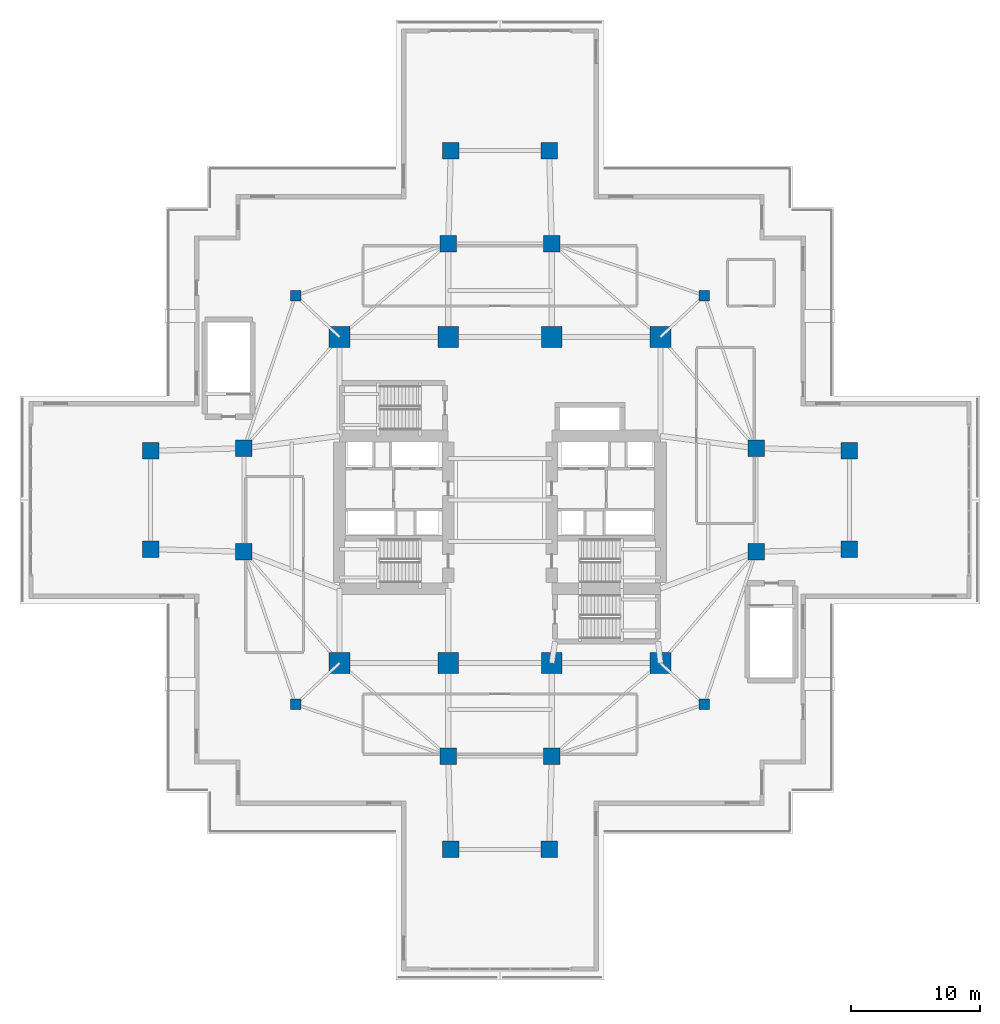
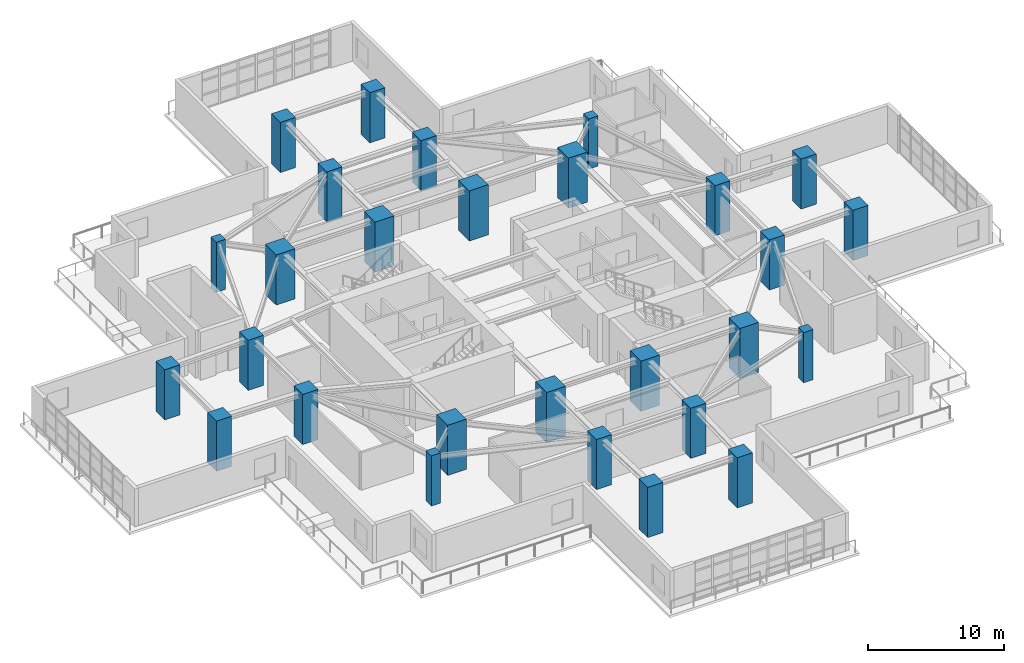
# One storey, part 1 of 24: 28 columns.
"""IFC4 building model written with IfcOpenShell, lengths in metres."""

from ifc_helpers import new_model, si_unit, direction, frame, origin, origin_2d, place, context, subcontext, project, spatial, rectangle, extrude, material, material_profile, profile_set, type_object, element, save


model = new_model("IFC4")

# Units and contexts
model_context = context("Model", 3, precision=1e-05, world=origin(), true_north=direction((0.0, 1.0)))
body_context = subcontext(model_context, "Body", "Model", "MODEL_VIEW")
ifc_project = project(units=[si_unit("LENGTHUNIT", "METRE"), si_unit("AREAUNIT", "SQUARE_METRE"), si_unit("VOLUMEUNIT", "CUBIC_METRE"), si_unit("PLANEANGLEUNIT", "RADIAN"), si_unit("MASSUNIT", "GRAM", prefix="KILO")], contexts=[model_context])

# Site, building, storey
site_placement = place(None, origin())
site = spatial("IfcSite", under=ifc_project, at=site_placement, CompositionType="ELEMENT")
building_placement = place(site_placement, origin())
building = spatial("IfcBuilding", under=site, at=building_placement, Name="Qingluan Cross Belvedere", CompositionType="ELEMENT")
storey_placement = place(building_placement, frame((0.0, 0.0, 19.199951171875)))
storey = spatial("IfcBuildingStorey", under=building, at=storey_placement, Name="L05", CompositionType="ELEMENT", Elevation=19.199951171875)

# Columns
ifc_material_1 = material(Name="Concrete C60", Category="concrete")
ifc_material_profile_1 = material_profile(ifc_material_1, rectangle(XDim=1.300048828125, YDim=1.300048828125, at=origin_2d()), Name="RC1300x1300")
ifc_profile_set_1 = profile_set([ifc_material_profile_1], Name="Concrete C60")
column_type_1 = type_object("IfcColumnType", Name="Column_RC1300x1300", PredefinedType="COLUMN", material=ifc_profile_set_1)
for number, where, z_axis, x_axis, name in (
    (1, (19.800048828125, -4.0, 0.0), (0.0, 0.0, 1.0), (1.0, 0.0, 0.0), "Arm column L05-EIA"),
    (2, (19.800048828125, 4.0, 0.0), (0.0, 0.0, 1.0), (1.0, 0.0, 0.0), "Arm column L05-EIB"),
    (3, (-19.800048828125, -4.0, 0.0), (0.0, 0.0, 1.0), (1.0, 0.0, 0.0), "Arm column L05-WIA"),
    (4, (-19.800048828125, 4.0, 0.0), (0.0, 0.0, 1.0), (1.0, 0.0, 0.0), "Arm column L05-WIB"),
    (5, (-4.0, -19.800048828125, 0.0), (0.0, 0.0, 1.0), (1.0, 0.0, 0.0), "Arm column L05-SIA"),
    (6, (4.0, -19.800048828125, 0.0), (0.0, 0.0, 1.0), (1.0, 0.0, 0.0), "Arm column L05-SIB"),
    (7, (-4.0, 19.800048828125, 0.0), (0.0, 0.0, 1.0), (1.0, 0.0, 0.0), "Arm column L05-NIA"),
    (8, (4.0, 19.800048828125, 0.0), (0.0, 0.0, 1.0), (1.0, 0.0, 0.0), "Arm column L05-NIB"),
    (9, (27.0, -3.800048828125, 0.0), (0.0, 0.0, 1.0), (1.0, 0.0, 0.0), "Arm column L05-EOA"),
    (10, (27.0, 3.800048828125, 0.0), (0.0, 0.0, 1.0), (1.0, 0.0, 0.0), "Arm column L05-EOB"),
    (11, (-27.0, -3.800048828125, 0.0), (0.0, 0.0, 1.0), (1.0, 0.0, 0.0), "Arm column L05-WOA"),
    (12, (-27.0, 3.800048828125, 0.0), (0.0, 0.0, 1.0), (1.0, 0.0, 0.0), "Arm column L05-WOB"),
    (13, (-3.800048828125, -27.0, 0.0), (0.0, 0.0, 1.0), (1.0, 0.0, 0.0), "Arm column L05-SOA"),
    (14, (3.800048828125, -27.0, 0.0), (0.0, 0.0, 1.0), (1.0, 0.0, 0.0), "Arm column L05-SOB"),
    (15, (-3.800048828125, 27.0, 0.0), (0.0, 0.0, 1.0), (1.0, 0.0, 0.0), "Arm column L05-NOA"),
    (16, (3.800048828125, 27.0, 0.0), (0.0, 0.0, 1.0), (1.0, 0.0, 0.0), "Arm column L05-NOB"),
):
    element("IfcColumn", number, at=place(storey_placement, frame(where, z_axis=z_axis, x_axis=x_axis)), inside=storey, type_object=column_type_1, Name=name, PredefinedType="COLUMN", context=body_context, shape_type="SweptSolid", body=[
        extrude(rectangle(XDim=1.300048828125, YDim=1.300048828125, at=origin_2d()), origin(), (0.0, 0.0, 1.0), 4.5),
    ])
ifc_material_2 = material(Name="Concrete C70", Category="concrete")
ifc_material_profile_2 = material_profile(ifc_material_2, rectangle(XDim=1.60009765625, YDim=1.60009765625, at=origin_2d()), Name="RC1600x1600")
ifc_profile_set_2 = profile_set([ifc_material_profile_2], Name="Concrete C70")
column_type_2 = type_object("IfcColumnType", Name="Column_RC1600x1600", PredefinedType="COLUMN", material=ifc_profile_set_2)
for number, where, z_axis, x_axis, name in (
    (17, (-12.39990234375, -12.60009765625, 0.0), (0.0, 0.0, 1.0), (1.0, 0.0, 0.0), "Hub column L05-HC1"),
    (18, (12.39990234375, -12.60009765625, 0.0), (0.0, 0.0, 1.0), (1.0, 0.0, 0.0), "Hub column L05-HC2"),
    (19, (12.39990234375, 12.60009765625, 0.0), (0.0, 0.0, 1.0), (1.0, 0.0, 0.0), "Hub column L05-HC3"),
    (20, (-12.39990234375, 12.60009765625, 0.0), (0.0, 0.0, 1.0), (1.0, 0.0, 0.0), "Hub column L05-HC4"),
    (21, (-4.0, -12.60009765625, 0.0), (0.0, 0.0, 1.0), (1.0, 0.0, 0.0), "Hub column L05-HC5"),
    (22, (4.0, -12.60009765625, 0.0), (0.0, 0.0, 1.0), (1.0, 0.0, 0.0), "Hub column L05-HC6"),
    (23, (4.0, 12.60009765625, 0.0), (0.0, 0.0, 1.0), (1.0, 0.0, 0.0), "Hub column L05-HC7"),
    (24, (-4.0, 12.60009765625, 0.0), (0.0, 0.0, 1.0), (1.0, 0.0, 0.0), "Hub column L05-HC8"),
):
    element("IfcColumn", number, at=place(storey_placement, frame(where, z_axis=z_axis, x_axis=x_axis)), inside=storey, type_object=column_type_2, Name=name, PredefinedType="COLUMN", context=body_context, shape_type="SweptSolid", body=[
        extrude(rectangle(XDim=1.60009765625, YDim=1.60009765625, at=origin_2d()), origin(), (0.0, 0.0, 1.0), 4.5),
    ])
ifc_material_3 = material(Name="Concrete C50", Category="concrete")
ifc_material_profile_3 = material_profile(ifc_material_3, rectangle(XDim=0.800048828125, YDim=0.800048828125, at=origin_2d()), Name="RC800x800")
ifc_profile_set_3 = profile_set([ifc_material_profile_3], Name="Concrete C50")
column_type_3 = type_object("IfcColumnType", Name="Column_RC800x800", PredefinedType="COLUMN", material=ifc_profile_set_3)
for number, where, z_axis, x_axis, name in (
    (25, (15.800048828125, 15.800048828125, 0.0), (0.0, 0.0, 1.0), (1.0, 0.0, 0.0), "Corner column L05-RNE"),
    (26, (-15.800048828125, 15.800048828125, 0.0), (0.0, 0.0, 1.0), (1.0, 0.0, 0.0), "Corner column L05-RNW"),
    (27, (-15.800048828125, -15.800048828125, 0.0), (0.0, 0.0, 1.0), (1.0, 0.0, 0.0), "Corner column L05-RSW"),
    (28, (15.800048828125, -15.800048828125, 0.0), (0.0, 0.0, 1.0), (1.0, 0.0, 0.0), "Corner column L05-RSE"),
):
    element("IfcColumn", number, at=place(storey_placement, frame(where, z_axis=z_axis, x_axis=x_axis)), inside=storey, type_object=column_type_3, Name=name, PredefinedType="COLUMN", context=body_context, shape_type="SweptSolid", body=[
        extrude(rectangle(XDim=0.800048828125, YDim=0.800048828125, at=origin_2d()), origin(), (0.0, 0.0, 1.0), 4.5),
    ])

save(model, "model.ifc")
